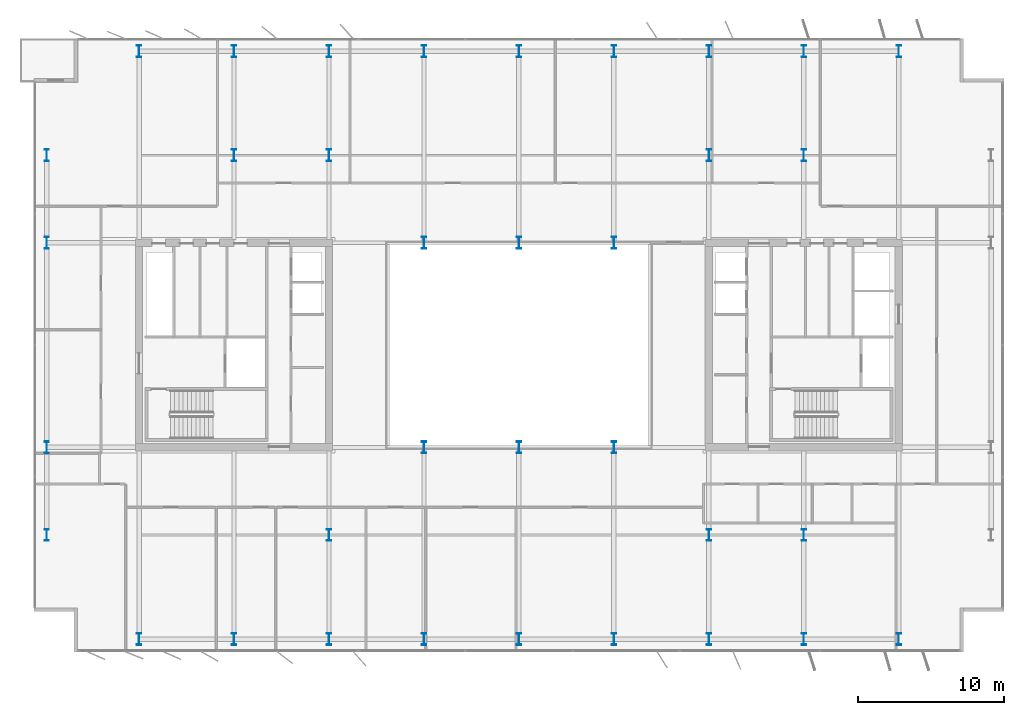
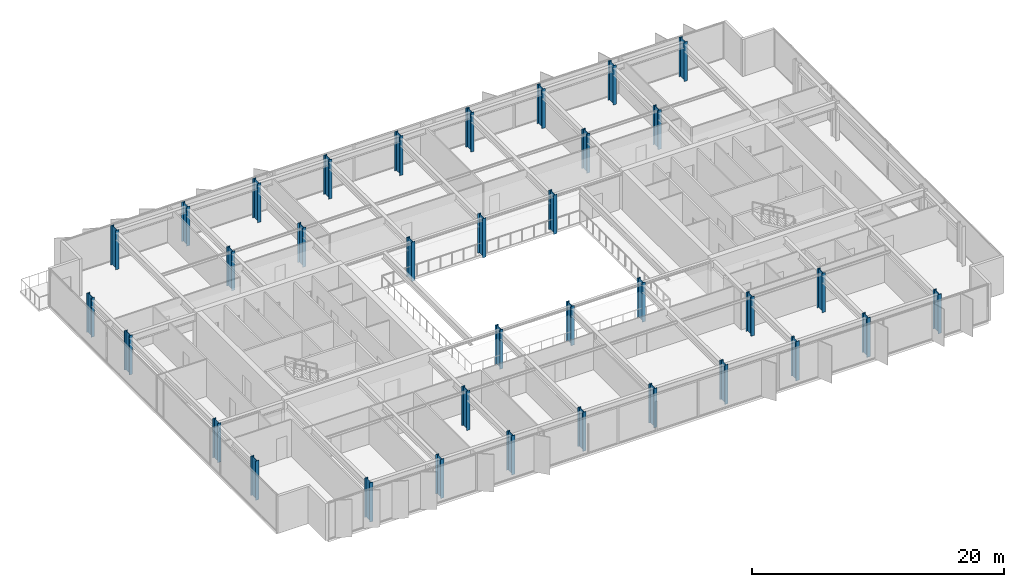
# One storey, part 1 of 23: 35 columns.
"""IFC4 building model written with IfcOpenShell, lengths in metres."""

import ifcopenshell
import ifcopenshell.guid

model = None  # the IFC model being written
_history = None  # IfcOwnerHistory: only IFC2X3 demands one
_inside = {}  # id of a spatial element -> (the spatial element, [elements in it])
_under = {}  # id of a project, library or spatial element -> (it, [spatial elements below it])
_declared = {}  # id of a project -> (the project, [libraries it declares])
_typed = {}  # id of a type object -> (the type object, [elements of that type])
_made_of = {}  # id of a material, layer set ... -> (it, [elements and type objects made of it])


def new_model(schema):
    """Start an empty IFC model of exactly this schema.

    Asked for "IFC4X3", IfcOpenShell would pick the latest addendum, in which some entities
    have other attributes; the version numbers below select the first issue.
    IFC2X3 requires an IfcOwnerHistory on every rooted entity: one is made here for all.
    """
    global model, _history
    if schema == "IFC4X3":
        model = ifcopenshell.file(schema_version=(4, 3, 0, 0))
    else:
        model = ifcopenshell.file(schema=schema)
    _inside.clear()
    _under.clear()
    _declared.clear()
    _typed.clear()
    _made_of.clear()
    _history = None
    if model.schema == "IFC2X3":
        org = make("IfcOrganization", Name="unknown")
        user = make(
            "IfcPersonAndOrganization",
            ThePerson=make("IfcPerson", FamilyName="unknown"),
            TheOrganization=org,
        )
        app = make(
            "IfcApplication",
            ApplicationDeveloper=org,
            Version="unknown",
            ApplicationFullName="unknown",
            ApplicationIdentifier="unknown",
        )
        _history = make(
            "IfcOwnerHistory",
            OwningUser=user,
            OwningApplication=app,
            ChangeAction="ADDED",
            CreationDate=0,
        )
    return model


def make(cls, **values):
    """One entity of the class cls with the attributes given. An attribute that is None is left unset."""
    return model.create_entity(
        cls, **{name: value for name, value in values.items() if value is not None}
    )


def rooted(cls, **values):
    """An entity with a GlobalId (a new one), such as an element, a storey or a relation."""
    return make(cls, GlobalId=ifcopenshell.guid.new(), OwnerHistory=_history, **values)


def si_unit(unit_type, name, prefix=None):
    """IfcSIUnit, for example si_unit("LENGTHUNIT", "METRE", prefix="MILLI")."""
    return make("IfcSIUnit", UnitType=unit_type, Prefix=prefix, Name=name)


def assignment(units):
    """IfcUnitAssignment: the units of a project."""
    return None if units is None else make("IfcUnitAssignment", Units=units)


def point(xyz):
    """IfcCartesianPoint."""
    return None if xyz is None else make("IfcCartesianPoint", Coordinates=xyz)


def direction(xyz):
    """IfcDirection."""
    return None if xyz is None else make("IfcDirection", DirectionRatios=xyz)


def frame(location, z_axis=None, x_axis=None):
    """IfcAxis2Placement3D, a coordinate frame: its origin and axes. An axis left out is left unset."""
    return make(
        "IfcAxis2Placement3D",
        Location=point(location),
        Axis=direction(z_axis),
        RefDirection=direction(x_axis),
    )


def frame_2d(location, x_axis=None):
    """IfcAxis2Placement2D, a coordinate frame in the plane: its origin and x axis."""
    return make(
        "IfcAxis2Placement2D", Location=point(location), RefDirection=direction(x_axis)
    )


def origin():
    """The frame at (0, 0, 0) with its axes left unset."""
    return frame((0.0, 0.0, 0.0))


def origin_2d():
    """The frame at (0, 0) in the plane with its x axis left unset."""
    return frame_2d((0.0, 0.0))


def place(relative_to, where):
    """IfcLocalPlacement: puts the frame where relative to a parent placement (None: the world)."""
    return make(
        "IfcLocalPlacement", PlacementRelTo=relative_to, RelativePlacement=where
    )


def context(
    kind, dimensions, precision=None, world=None, true_north=None, identifier=None
):
    """IfcGeometricRepresentationContext, for example the 3D "Model" context."""
    return make(
        "IfcGeometricRepresentationContext",
        ContextIdentifier=identifier,
        ContextType=kind,
        CoordinateSpaceDimension=dimensions,
        Precision=precision,
        WorldCoordinateSystem=world,
        TrueNorth=true_north,
    )


def subcontext(parent, identifier, kind, view, scale=None):
    """IfcGeometricRepresentationSubContext, for example "Body" below "Model"."""
    return make(
        "IfcGeometricRepresentationSubContext",
        ContextIdentifier=identifier,
        ContextType=kind,
        ParentContext=parent,
        TargetScale=scale,
        TargetView=view,
    )


def project(units=None, contexts=None):
    """IfcProject with its units and contexts."""
    return rooted(
        "IfcProject",
        Name="project",
        RepresentationContexts=contexts,
        UnitsInContext=assignment(units),
    )


def spatial(cls, under=None, at=None, **own):
    """A site, building, storey or space (cls), placed at a placement, below another one or the project."""
    s = rooted(cls, ObjectPlacement=at, **own)
    if under is not None:
        _under.setdefault(under.id(), (under, []))[1].append(s)
    return s


def profile(cls, at=None, kind="AREA", **sizes):
    """A parametric profile (cls). Its sizes go by their IFC names, for example OverallWidth=200.0."""
    return make(cls, ProfileType=kind, Position=at, **sizes)


def i_section(**sizes):
    """IfcIShapeProfileDef."""
    return profile("IfcIShapeProfileDef", **sizes)


def extrude(swept, where, along, depth):
    """IfcExtrudedAreaSolid: the profile swept, set in the frame where, extruded along a direction by depth."""
    return make(
        "IfcExtrudedAreaSolid",
        SweptArea=swept,
        Position=where,
        ExtrudedDirection=direction(along),
        Depth=depth,
    )


def shape(context_of_items, identifier, shape_type, items):
    """IfcShapeRepresentation: the items that make up one representation, for example the "Body"."""
    return make(
        "IfcShapeRepresentation",
        ContextOfItems=context_of_items,
        RepresentationIdentifier=identifier,
        RepresentationType=shape_type,
        Items=items,
    )


def material(Name=None, Category=None):
    """IfcMaterial."""
    return make("IfcMaterial", Name=Name, Category=Category)


def material_profile(
    of_material, cross_section, Name=None, Category=None, Priority=None
):
    """IfcMaterialProfile: a cross section and its material."""
    return make(
        "IfcMaterialProfile",
        Name=Name,
        Material=of_material,
        Profile=cross_section,
        Priority=Priority,
        Category=Category,
    )


def profile_set(profiles, Name=None, composite=None):
    """IfcMaterialProfileSet."""
    return make(
        "IfcMaterialProfileSet",
        Name=Name,
        MaterialProfiles=profiles,
        CompositeProfile=composite,
    )


def made_of(thing, what):
    """Note that an element or type object is made of a material, layer set ...; save() writes the relation."""
    if what is not None:
        _made_of.setdefault(what.id(), (what, []))[1].append(thing)
    return thing


def type_object(cls, material=None, **own):
    """A type object (cls), such as IfcWallType, which elements share."""
    return made_of(rooted(cls, **own), material)


def element(
    cls,
    number,
    at=None,
    inside=None,
    cuts=None,
    type_object=None,
    material=None,
    context=None,
    identifier="Body",
    shape_type=None,
    held_by="IfcProductDefinitionShape",
    body=None,
    shapes=None,
    **own,
):
    """One element of the class cls, such as IfcWall. Its Tag is "e" and its number.

    at: its placement. inside: the storey or other place that contains it. cuts: it is an
    opening in that element (IfcRelVoidsElement). A single representation is given by context,
    identifier, shape_type and body (its items); several are given by shapes. held_by: the class
    of the entity that holds the representations. save() writes the other relations.
    """
    e = rooted(cls, Tag="e%d" % number, ObjectPlacement=at, **own)
    if body is not None:
        shapes = [shape(context, identifier, shape_type, body)]
    if shapes is not None:
        e.Representation = make(held_by, Representations=shapes)
    if inside is not None:
        _inside.setdefault(inside.id(), (inside, []))[1].append(e)
    if cuts is not None:
        rooted(
            "IfcRelVoidsElement", RelatingBuildingElement=cuts, RelatedOpeningElement=e
        )
    if type_object is not None:
        _typed.setdefault(type_object.id(), (type_object, []))[1].append(e)
    return made_of(e, material)


def aggregate(whole, parts):
    """IfcRelAggregates: a whole, such as a stair, and the parts it consists of."""
    return rooted("IfcRelAggregates", RelatingObject=whole, RelatedObjects=parts)


def save(model, path):
    """Write the relations noted so far, then the file.

    IfcRelAggregates (storeys below a building ...), IfcRelContainedInSpatialStructure (elements
    in a storey), IfcRelDefinesByType, IfcRelAssociatesMaterial and IfcRelDeclares: one each for
    every whole, place, type object, material and project.
    """
    for whole, parts in _under.values():
        aggregate(whole, parts)
    for where, things in _inside.values():
        rooted(
            "IfcRelContainedInSpatialStructure",
            RelatedElements=things,
            RelatingStructure=where,
        )
    for kind, things in _typed.values():
        rooted("IfcRelDefinesByType", RelatedObjects=things, RelatingType=kind)
    for what, things in _made_of.values():
        rooted("IfcRelAssociatesMaterial", RelatedObjects=things, RelatingMaterial=what)
    for by, libraries in _declared.values():
        rooted("IfcRelDeclares", RelatingContext=by, RelatedDefinitions=libraries)
    model.write(path)


model = new_model("IFC4")

# Units and contexts
model_context = context("Model", 3, precision=1e-05, world=origin(), true_north=direction((0.0, 1.0)))
body_context = subcontext(model_context, "Body", "Model", "MODEL_VIEW")
ifc_project = project(units=[si_unit("LENGTHUNIT", "METRE"), si_unit("AREAUNIT", "SQUARE_METRE"), si_unit("VOLUMEUNIT", "CUBIC_METRE"), si_unit("PLANEANGLEUNIT", "RADIAN"), si_unit("MASSUNIT", "GRAM", prefix="KILO")], contexts=[model_context])

# Site, building, storey
site_placement = place(None, origin())
site = spatial("IfcSite", under=ifc_project, at=site_placement, CompositionType="ELEMENT")
building_placement = place(site_placement, origin())
building = spatial("IfcBuilding", under=site, at=building_placement, Name="Putna Gate Headquarters", CompositionType="ELEMENT")
storey_placement = place(building_placement, frame((0.0, 0.0, 213.800048828125)))
storey = spatial("IfcBuildingStorey", under=building, at=storey_placement, Name="L53", CompositionType="ELEMENT", Elevation=213.800048828125)

# Columns
ifc_material = material(Name="Steel S460M", Category="steel")
ifc_material_profile_1 = material_profile(ifc_material, i_section(OverallWidth=0.302978515625, OverallDepth=0.81396484375, WebThickness=0.02099609375, FlangeThickness=0.0400390625, at=origin_2d()), Name="Steel S460M")
ifc_profile_set_1 = profile_set([ifc_material_profile_1], Name="Steel S460M")
column_type_1 = type_object("IfcColumnType", Name="COL-STL-HEM800-EXT", PredefinedType="COLUMN", material=ifc_profile_set_1)
for number, where, z_axis, x_axis, name in (
    (1, (13.0, 5.8798828125, 0.0), (0.0, 0.0, 1.0), (1.0, 0.0, 0.0), "L53 Column CP-S13"),
    (2, (13.0, 46.1201171875, 0.0), (0.0, 0.0, 1.0), (1.0, 0.0, 0.0), "L53 Column CP-N13"),
    (3, (19.5, 5.8798828125, 0.0), (0.0, 0.0, 1.0), (1.0, 0.0, 0.0), "L53 Column CP-S19"),
    (4, (19.5, 46.1201171875, 0.0), (0.0, 0.0, 1.0), (1.0, 0.0, 0.0), "L53 Column CP-N19"),
    (5, (26.0, 5.8798828125, 0.0), (0.0, 0.0, 1.0), (1.0, 0.0, 0.0), "L53 Column CP-S26"),
    (6, (26.0, 46.1201171875, 0.0), (0.0, 0.0, 1.0), (1.0, 0.0, 0.0), "L53 Column CP-N26"),
    (7, (32.5, 5.8798828125, 0.0), (0.0, 0.0, 1.0), (1.0, 0.0, 0.0), "L53 Column CP-S32"),
    (8, (32.5, 46.1201171875, 0.0), (0.0, 0.0, 1.0), (1.0, 0.0, 0.0), "L53 Column CP-N32"),
    (9, (39.0, 5.8798828125, 0.0), (0.0, 0.0, 1.0), (1.0, 0.0, 0.0), "L53 Column CP-S39"),
    (10, (39.0, 46.1201171875, 0.0), (0.0, 0.0, 1.0), (1.0, 0.0, 0.0), "L53 Column CP-N39"),
    (11, (45.5, 5.8798828125, 0.0), (0.0, 0.0, 1.0), (1.0, 0.0, 0.0), "L53 Column CP-S45"),
    (12, (45.5, 46.1201171875, 0.0), (0.0, 0.0, 1.0), (1.0, 0.0, 0.0), "L53 Column CP-N45"),
    (13, (52.0, 5.8798828125, 0.0), (0.0, 0.0, 1.0), (1.0, 0.0, 0.0), "L53 Column CP-S52"),
    (14, (52.0, 46.1201171875, 0.0), (0.0, 0.0, 1.0), (1.0, 0.0, 0.0), "L53 Column CP-N52"),
    (15, (58.5, 5.8798828125, 0.0), (0.0, 0.0, 1.0), (1.0, 0.0, 0.0), "L53 Column CP-S58"),
    (16, (58.5, 46.1201171875, 0.0), (0.0, 0.0, 1.0), (1.0, 0.0, 0.0), "L53 Column CP-N58"),
    (17, (65.0, 5.8798828125, 0.0), (0.0, 0.0, 1.0), (1.0, 0.0, 0.0), "L53 Column CP-S65"),
    (18, (65.0, 46.1201171875, 0.0), (0.0, 0.0, 1.0), (1.0, 0.0, 0.0), "L53 Column CP-N65"),
    (19, (6.679931640625, 13.0, 0.0), (0.0, 0.0, 1.0), (1.0, 0.0, 0.0), "L53 Column CP-W13"),
    (20, (6.679931640625, 19.0, 0.0), (0.0, 0.0, 1.0), (1.0, 0.0, 0.0), "L53 Column CP-W19"),
    (21, (6.679931640625, 33.0, 0.0), (0.0, 0.0, 1.0), (1.0, 0.0, 0.0), "L53 Column CP-W33"),
    (22, (6.679931640625, 39.0, 0.0), (0.0, 0.0, 1.0), (1.0, 0.0, 0.0), "L53 Column CP-W39"),
):
    element("IfcColumn", number, at=place(storey_placement, frame(where, z_axis=z_axis, x_axis=x_axis)), inside=storey, type_object=column_type_1, Name=name, PredefinedType="COLUMN", context=body_context, shape_type="SweptSolid", body=[
        extrude(i_section(OverallWidth=0.302978515625, OverallDepth=0.81396484375, WebThickness=0.02099609375, FlangeThickness=0.0400390625, at=origin_2d()), origin(), (0.0, 0.0, 1.0), 3.800048828125),
    ])
ifc_material_profile_2 = material_profile(ifc_material, i_section(OverallWidth=0.302978515625, OverallDepth=0.81396484375, WebThickness=0.02099609375, FlangeThickness=0.0400390625, at=origin_2d()), Name="Steel S460M")
ifc_profile_set_2 = profile_set([ifc_material_profile_2], Name="Steel S460M")
column_type_2 = type_object("IfcColumnType", Name="COL-STL-HEM800-INT", PredefinedType="COLUMN", material=ifc_profile_set_2)
for number, where, z_axis, x_axis, name in (
    (23, (19.5, 39.0, 0.0), (0.0, 0.0, 1.0), (1.0, 0.0, 0.0), "L53 Column CSI-WN"),
    (24, (58.5, 13.0, 0.0), (0.0, 0.0, 1.0), (1.0, 0.0, 0.0), "L53 Column CSI-ES"),
    (25, (58.5, 39.0, 0.0), (0.0, 0.0, 1.0), (1.0, 0.0, 0.0), "L53 Column CSI-EN"),
    (26, (32.5, 19.0, 0.0), (0.0, 0.0, 1.0), (1.0, 0.0, 0.0), "L53 Column CAI-S32"),
    (27, (32.5, 33.0, 0.0), (0.0, 0.0, 1.0), (1.0, 0.0, 0.0), "L53 Column CAI-N32"),
    (28, (39.0, 19.0, 0.0), (0.0, 0.0, 1.0), (1.0, 0.0, 0.0), "L53 Column CAI-S39"),
    (29, (39.0, 33.0, 0.0), (0.0, 0.0, 1.0), (1.0, 0.0, 0.0), "L53 Column CAI-N39"),
    (30, (45.5, 19.0, 0.0), (0.0, 0.0, 1.0), (1.0, 0.0, 0.0), "L53 Column CAI-S45"),
    (31, (45.5, 33.0, 0.0), (0.0, 0.0, 1.0), (1.0, 0.0, 0.0), "L53 Column CAI-N45"),
    (32, (26.0, 13.0, 0.0), (0.0, 0.0, 1.0), (1.0, 0.0, 0.0), "L53 Column CAP-WS"),
    (33, (26.0, 39.0, 0.0), (0.0, 0.0, 1.0), (1.0, 0.0, 0.0), "L53 Column CAP-WN"),
    (34, (52.0, 13.0, 0.0), (0.0, 0.0, 1.0), (1.0, 0.0, 0.0), "L53 Column CAP-ES"),
    (35, (52.0, 39.0, 0.0), (0.0, 0.0, 1.0), (1.0, 0.0, 0.0), "L53 Column CAP-EN"),
):
    element("IfcColumn", number, at=place(storey_placement, frame(where, z_axis=z_axis, x_axis=x_axis)), inside=storey, type_object=column_type_2, Name=name, PredefinedType="COLUMN", context=body_context, shape_type="SweptSolid", body=[
        extrude(i_section(OverallWidth=0.302978515625, OverallDepth=0.81396484375, WebThickness=0.02099609375, FlangeThickness=0.0400390625, at=origin_2d()), origin(), (0.0, 0.0, 1.0), 3.800048828125),
    ])

save(model, "model.ifc")
